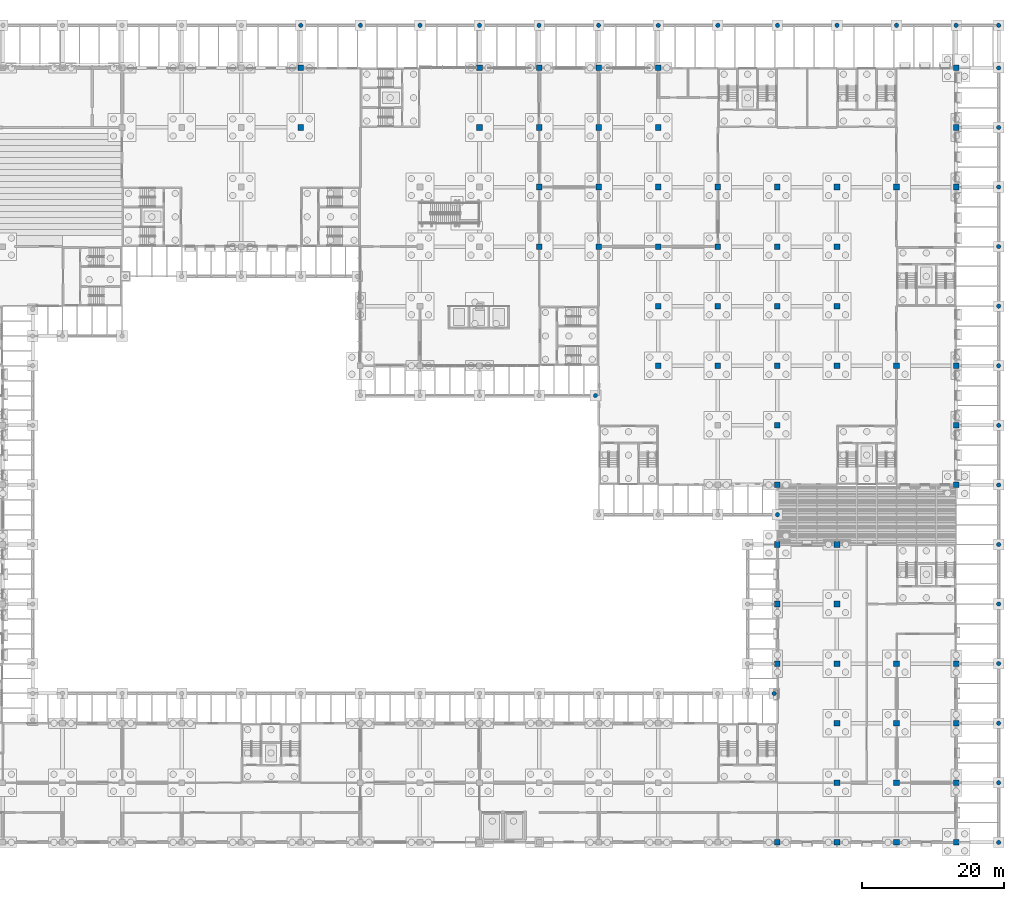
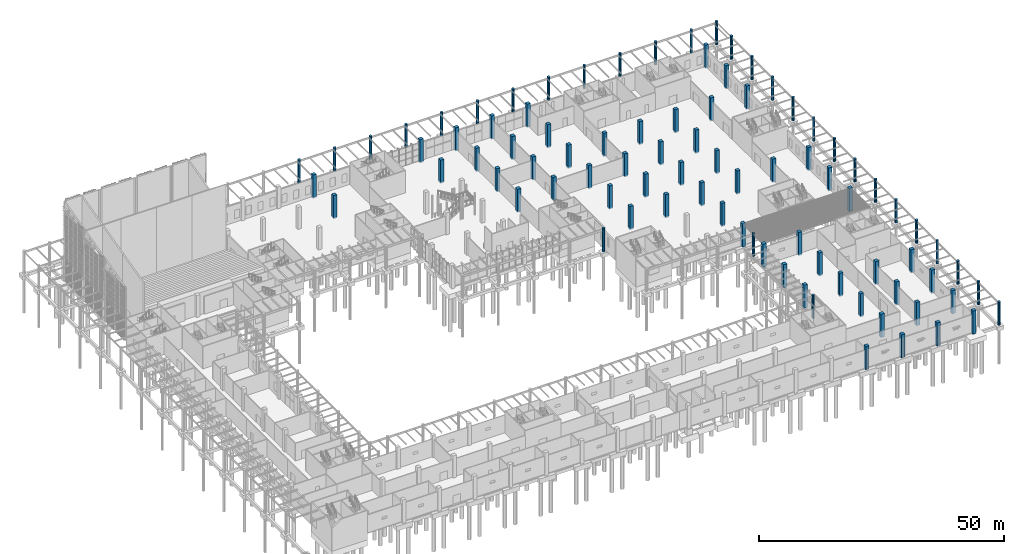
# One storey, part 8 of 82: 88 columns.
"""IFC4 building model written with IfcOpenShell, lengths in metres."""

from ifc_helpers import new_model, si_unit, direction, frame, origin, origin_2d, place, context, subcontext, project, spatial, rectangle, circle, extrude, material, material_profile, profile_set, type_object, element, save


model = new_model("IFC4")

# Units and contexts
model_context = context("Model", 3, precision=1e-05, world=origin(), true_north=direction((0.0, 1.0)))
body_context = subcontext(model_context, "Body", "Model", "MODEL_VIEW")
ifc_project = project(units=[si_unit("LENGTHUNIT", "METRE"), si_unit("AREAUNIT", "SQUARE_METRE"), si_unit("VOLUMEUNIT", "CUBIC_METRE"), si_unit("PLANEANGLEUNIT", "RADIAN"), si_unit("MASSUNIT", "GRAM", prefix="KILO")], contexts=[model_context])

# Site, building, storey
site_placement = place(None, origin())
site = spatial("IfcSite", under=ifc_project, at=site_placement, CompositionType="ELEMENT")
building_placement = place(site_placement, origin())
building = spatial("IfcBuilding", under=site, at=building_placement, Name="Almond Square Museum", CompositionType="ELEMENT")
storey_placement = place(building_placement, origin())
storey = spatial("IfcBuildingStorey", under=building, at=storey_placement, Name="L00", CompositionType="ELEMENT", Elevation=0.0)

# Columns
ifc_material_1 = material(Name="Concrete C40/50", Category="concrete")
ifc_material_profile_1 = material_profile(ifc_material_1, rectangle(XDim=0.800048828125, YDim=0.800048828125, at=origin_2d()))
ifc_profile_set_1 = profile_set([ifc_material_profile_1], Name="Concrete C40/50")
column_type_1 = type_object("IfcColumnType", Name="RC column 800 x 800 C40/50", PredefinedType="COLUMN", material=ifc_profile_set_1)
for number, where, z_axis, x_axis, name in (
    (1, (64.800048828125, 100.800048828125, -0.300048828125), (0.0, 0.0, 1.0), (1.0, 0.0, 0.0), "Column 9-M L00"),
    (2, (64.800048828125, 109.199951171875, -0.300048828125), (0.0, 0.0, 1.0), (1.0, 0.0, 0.0), "Column 9-N L00"),
    (3, (90.0, 100.800048828125, -0.300048828125), (0.0, 0.0, 1.0), (1.0, 0.0, 0.0), "Column 12-M L00"),
    (4, (90.0, 109.199951171875, -0.300048828125), (0.0, 0.0, 1.0), (1.0, 0.0, 0.0), "Column 12-N L00"),
    (5, (98.39990234375, 84.0, -0.300048828125), (0.0, 0.0, 1.0), (1.0, 0.0, 0.0), "Column 13-K L00"),
    (6, (98.39990234375, 92.39990234375, -0.300048828125), (0.0, 0.0, 1.0), (1.0, 0.0, 0.0), "Column 13-L L00"),
    (7, (98.39990234375, 100.800048828125, -0.300048828125), (0.0, 0.0, 1.0), (1.0, 0.0, 0.0), "Column 13-M L00"),
    (8, (98.39990234375, 109.199951171875, -0.300048828125), (0.0, 0.0, 1.0), (1.0, 0.0, 0.0), "Column 13-N L00"),
    (9, (106.800048828125, 84.0, -0.300048828125), (0.0, 0.0, 1.0), (1.0, 0.0, 0.0), "Column 14-K L00"),
    (10, (106.800048828125, 92.39990234375, -0.300048828125), (0.0, 0.0, 1.0), (1.0, 0.0, 0.0), "Column 14-L L00"),
    (11, (106.800048828125, 100.800048828125, -0.300048828125), (0.0, 0.0, 1.0), (1.0, 0.0, 0.0), "Column 14-M L00"),
    (12, (106.800048828125, 109.199951171875, -0.300048828125), (0.0, 0.0, 1.0), (1.0, 0.0, 0.0), "Column 14-N L00"),
    (13, (115.199951171875, 67.199951171875, -0.300048828125), (0.0, 0.0, 1.0), (1.0, 0.0, 0.0), "Column 15-I L00"),
    (14, (115.199951171875, 75.60009765625, -0.300048828125), (0.0, 0.0, 1.0), (1.0, 0.0, 0.0), "Column 15-J L00"),
    (15, (115.199951171875, 84.0, -0.300048828125), (0.0, 0.0, 1.0), (1.0, 0.0, 0.0), "Column 15-K L00"),
    (16, (115.199951171875, 92.39990234375, -0.300048828125), (0.0, 0.0, 1.0), (1.0, 0.0, 0.0), "Column 15-L L00"),
    (17, (115.199951171875, 100.800048828125, -0.300048828125), (0.0, 0.0, 1.0), (1.0, 0.0, 0.0), "Column 15-M L00"),
    (18, (115.199951171875, 109.199951171875, -0.300048828125), (0.0, 0.0, 1.0), (1.0, 0.0, 0.0), "Column 15-N L00"),
    (19, (123.60009765625, 67.199951171875, -0.300048828125), (0.0, 0.0, 1.0), (1.0, 0.0, 0.0), "Column 16-I L00"),
    (20, (123.60009765625, 75.60009765625, -0.300048828125), (0.0, 0.0, 1.0), (1.0, 0.0, 0.0), "Column 16-J L00"),
    (21, (123.60009765625, 84.0, -0.300048828125), (0.0, 0.0, 1.0), (1.0, 0.0, 0.0), "Column 16-K L00"),
    (22, (123.60009765625, 92.39990234375, -0.300048828125), (0.0, 0.0, 1.0), (1.0, 0.0, 0.0), "Column 16-L L00"),
    (23, (132.0, 0.0, -0.300048828125), (0.0, 0.0, 1.0), (1.0, 0.0, 0.0), "Column 17-A L00"),
    (24, (132.0, 25.199951171875, -0.300048828125), (0.0, 0.0, 1.0), (1.0, 0.0, 0.0), "Column 17-D L00"),
    (25, (132.0, 33.60009765625, -0.300048828125), (0.0, 0.0, 1.0), (1.0, 0.0, 0.0), "Column 17-E L00"),
    (26, (132.0, 42.0, -0.300048828125), (0.0, 0.0, 1.0), (1.0, 0.0, 0.0), "Column 17-F L00"),
    (27, (132.0, 50.39990234375, -0.300048828125), (0.0, 0.0, 1.0), (1.0, 0.0, 0.0), "Column 17-G L00"),
    (28, (132.0, 58.800048828125, -0.300048828125), (0.0, 0.0, 1.0), (1.0, 0.0, 0.0), "Column 17-H L00"),
    (29, (132.0, 67.199951171875, -0.300048828125), (0.0, 0.0, 1.0), (1.0, 0.0, 0.0), "Column 17-I L00"),
    (30, (132.0, 75.60009765625, -0.300048828125), (0.0, 0.0, 1.0), (1.0, 0.0, 0.0), "Column 17-J L00"),
    (31, (132.0, 84.0, -0.300048828125), (0.0, 0.0, 1.0), (1.0, 0.0, 0.0), "Column 17-K L00"),
    (32, (132.0, 92.39990234375, -0.300048828125), (0.0, 0.0, 1.0), (1.0, 0.0, 0.0), "Column 17-L L00"),
    (33, (140.39990234375, 0.0, -0.300048828125), (0.0, 0.0, 1.0), (1.0, 0.0, 0.0), "Column 18-A L00"),
    (34, (140.39990234375, 8.39990234375, -0.300048828125), (0.0, 0.0, 1.0), (1.0, 0.0, 0.0), "Column 18-B L00"),
    (35, (140.39990234375, 16.800048828125, -0.300048828125), (0.0, 0.0, 1.0), (1.0, 0.0, 0.0), "Column 18-C L00"),
    (36, (140.39990234375, 25.199951171875, -0.300048828125), (0.0, 0.0, 1.0), (1.0, 0.0, 0.0), "Column 18-D L00"),
    (37, (140.39990234375, 33.60009765625, -0.300048828125), (0.0, 0.0, 1.0), (1.0, 0.0, 0.0), "Column 18-E L00"),
    (38, (140.39990234375, 42.0, -0.300048828125), (0.0, 0.0, 1.0), (1.0, 0.0, 0.0), "Column 18-F L00"),
    (39, (140.39990234375, 67.199951171875, -0.300048828125), (0.0, 0.0, 1.0), (1.0, 0.0, 0.0), "Column 18-I L00"),
    (40, (140.39990234375, 75.60009765625, -0.300048828125), (0.0, 0.0, 1.0), (1.0, 0.0, 0.0), "Column 18-J L00"),
    (41, (140.39990234375, 84.0, -0.300048828125), (0.0, 0.0, 1.0), (1.0, 0.0, 0.0), "Column 18-K L00"),
    (42, (140.39990234375, 92.39990234375, -0.300048828125), (0.0, 0.0, 1.0), (1.0, 0.0, 0.0), "Column 18-L L00"),
    (43, (148.800048828125, 0.0, -0.300048828125), (0.0, 0.0, 1.0), (1.0, 0.0, 0.0), "Column 19-A L00"),
    (44, (148.800048828125, 8.39990234375, -0.300048828125), (0.0, 0.0, 1.0), (1.0, 0.0, 0.0), "Column 19-B L00"),
    (45, (148.800048828125, 16.800048828125, -0.300048828125), (0.0, 0.0, 1.0), (1.0, 0.0, 0.0), "Column 19-C L00"),
    (46, (148.800048828125, 25.199951171875, -0.300048828125), (0.0, 0.0, 1.0), (1.0, 0.0, 0.0), "Column 19-D L00"),
    (47, (148.800048828125, 67.199951171875, -0.300048828125), (0.0, 0.0, 1.0), (1.0, 0.0, 0.0), "Column 19-I L00"),
    (48, (148.800048828125, 92.39990234375, -0.300048828125), (0.0, 0.0, 1.0), (1.0, 0.0, 0.0), "Column 19-L L00"),
    (49, (157.199951171875, 0.0, -0.300048828125), (0.0, 0.0, 1.0), (1.0, 0.0, 0.0), "Column 20-A L00"),
    (50, (157.199951171875, 8.39990234375, -0.300048828125), (0.0, 0.0, 1.0), (1.0, 0.0, 0.0), "Column 20-B L00"),
    (51, (157.199951171875, 16.800048828125, -0.300048828125), (0.0, 0.0, 1.0), (1.0, 0.0, 0.0), "Column 20-C L00"),
    (52, (157.199951171875, 25.199951171875, -0.300048828125), (0.0, 0.0, 1.0), (1.0, 0.0, 0.0), "Column 20-D L00"),
    (53, (157.199951171875, 50.39990234375, -0.300048828125), (0.0, 0.0, 1.0), (1.0, 0.0, 0.0), "Column 20-G L00"),
    (54, (157.199951171875, 58.800048828125, -0.300048828125), (0.0, 0.0, 1.0), (1.0, 0.0, 0.0), "Column 20-H L00"),
    (55, (157.199951171875, 67.199951171875, -0.300048828125), (0.0, 0.0, 1.0), (1.0, 0.0, 0.0), "Column 20-I L00"),
    (56, (157.199951171875, 92.39990234375, -0.300048828125), (0.0, 0.0, 1.0), (1.0, 0.0, 0.0), "Column 20-L L00"),
    (57, (157.199951171875, 100.800048828125, -0.300048828125), (0.0, 0.0, 1.0), (1.0, 0.0, 0.0), "Column 20-M L00"),
    (58, (157.199951171875, 109.199951171875, -0.300048828125), (0.0, 0.0, 1.0), (1.0, 0.0, 0.0), "Column 20-N L00"),
):
    element("IfcColumn", number, at=place(storey_placement, frame(where, z_axis=z_axis, x_axis=x_axis)), inside=storey, type_object=column_type_1, Name=name, PredefinedType="COLUMN", context=body_context, shape_type="SweptSolid", body=[
        extrude(rectangle(XDim=0.800048828125, YDim=0.800048828125, at=origin_2d()), origin(), (0.0, 0.0, 1.0), 5.800048828125),
    ])
ifc_material_2 = material(Name="Concrete C40/50", Category="concrete")
ifc_material_profile_2 = material_profile(ifc_material_2, circle(Radius=0.300048828125, at=origin_2d()))
ifc_profile_set_2 = profile_set([ifc_material_profile_2], Name="Concrete C40/50")
column_type_2 = type_object("IfcColumnType", Name="RC round column D600 C40/50", PredefinedType="COLUMN", material=ifc_profile_set_2)
for number, where, z_axis, x_axis, name in (
    (59, (64.800048828125, 115.199951171875, -0.300048828125), (0.0, 0.0, 1.0), (1.0, 0.0, 0.0), "Arcade column 9-O"),
    (60, (73.199951171875, 115.199951171875, -0.300048828125), (0.0, 0.0, 1.0), (1.0, 0.0, 0.0), "Arcade column 10-O"),
    (61, (81.60009765625, 115.199951171875, -0.300048828125), (0.0, 0.0, 1.0), (1.0, 0.0, 0.0), "Arcade column 11-O"),
    (62, (90.0, 115.199951171875, -0.300048828125), (0.0, 0.0, 1.0), (1.0, 0.0, 0.0), "Arcade column 12-O"),
    (63, (98.39990234375, 115.199951171875, -0.300048828125), (0.0, 0.0, 1.0), (1.0, 0.0, 0.0), "Arcade column 13-O"),
    (64, (106.35009765625, 63.0, -0.300048828125), (0.0, 0.0, 1.0), (1.0, 0.0, 0.0), "Loggia column COL-L00-LG-V2-31"),
    (65, (106.800048828125, 115.199951171875, -0.300048828125), (0.0, 0.0, 1.0), (1.0, 0.0, 0.0), "Arcade column 14-O"),
    (66, (115.199951171875, 115.199951171875, -0.300048828125), (0.0, 0.0, 1.0), (1.0, 0.0, 0.0), "Arcade column 15-O"),
    (67, (123.60009765625, 115.199951171875, -0.300048828125), (0.0, 0.0, 1.0), (1.0, 0.0, 0.0), "Arcade column 16-O"),
    (68, (131.550048828125, 21.0, -0.300048828125), (0.0, 0.0, 1.0), (1.0, 0.0, 0.0), "Loggia column COL-L00-LG-V5S-42"),
    (69, (132.0, 46.199951171875, -0.300048828125), (0.0, 0.0, 1.0), (1.0, 0.0, 0.0), "Loggia column COL-L00-LG-V1-43"),
    (70, (132.0, 115.199951171875, -0.300048828125), (0.0, 0.0, 1.0), (1.0, 0.0, 0.0), "Arcade column 17-O"),
    (71, (140.39990234375, 115.199951171875, -0.300048828125), (0.0, 0.0, 1.0), (1.0, 0.0, 0.0), "Arcade column 18-O"),
    (72, (148.800048828125, 115.199951171875, -0.300048828125), (0.0, 0.0, 1.0), (1.0, 0.0, 0.0), "Arcade column 19-O"),
    (73, (157.199951171875, 115.199951171875, -0.300048828125), (0.0, 0.0, 1.0), (1.0, 0.0, 0.0), "Arcade column 20-O"),
    (74, (163.199951171875, 0.0, -0.300048828125), (0.0, 0.0, 1.0), (1.0, 0.0, 0.0), "Arcade column 21-A"),
    (75, (163.199951171875, 8.39990234375, -0.300048828125), (0.0, 0.0, 1.0), (1.0, 0.0, 0.0), "Arcade column 21-B"),
    (76, (163.199951171875, 16.800048828125, -0.300048828125), (0.0, 0.0, 1.0), (1.0, 0.0, 0.0), "Arcade column 21-C"),
    (77, (163.199951171875, 25.199951171875, -0.300048828125), (0.0, 0.0, 1.0), (1.0, 0.0, 0.0), "Arcade column 21-D"),
    (78, (163.199951171875, 33.60009765625, -0.300048828125), (0.0, 0.0, 1.0), (1.0, 0.0, 0.0), "Arcade column 21-E"),
    (79, (163.199951171875, 42.0, -0.300048828125), (0.0, 0.0, 1.0), (1.0, 0.0, 0.0), "Arcade column 21-F"),
    (80, (163.199951171875, 50.39990234375, -0.300048828125), (0.0, 0.0, 1.0), (1.0, 0.0, 0.0), "Arcade column 21-G"),
    (81, (163.199951171875, 58.800048828125, -0.300048828125), (0.0, 0.0, 1.0), (1.0, 0.0, 0.0), "Arcade column 21-H"),
    (82, (163.199951171875, 67.199951171875, -0.300048828125), (0.0, 0.0, 1.0), (1.0, 0.0, 0.0), "Arcade column 21-I"),
    (83, (163.199951171875, 75.60009765625, -0.300048828125), (0.0, 0.0, 1.0), (1.0, 0.0, 0.0), "Arcade column 21-J"),
    (84, (163.199951171875, 84.0, -0.300048828125), (0.0, 0.0, 1.0), (1.0, 0.0, 0.0), "Arcade column 21-K"),
    (85, (163.199951171875, 92.39990234375, -0.300048828125), (0.0, 0.0, 1.0), (1.0, 0.0, 0.0), "Arcade column 21-L"),
    (86, (163.199951171875, 100.800048828125, -0.300048828125), (0.0, 0.0, 1.0), (1.0, 0.0, 0.0), "Arcade column 21-M"),
    (87, (163.199951171875, 109.199951171875, -0.300048828125), (0.0, 0.0, 1.0), (1.0, 0.0, 0.0), "Arcade column 21-N"),
    (88, (163.199951171875, 115.199951171875, -0.300048828125), (0.0, 0.0, 1.0), (1.0, 0.0, 0.0), "Arcade column 21-O"),
):
    element("IfcColumn", number, at=place(storey_placement, frame(where, z_axis=z_axis, x_axis=x_axis)), inside=storey, type_object=column_type_2, Name=name, PredefinedType="COLUMN", context=body_context, shape_type="SweptSolid", body=[
        extrude(circle(Radius=0.300048828125, at=origin_2d()), origin(), (0.0, 0.0, 1.0), 5.800048828125),
    ])

save(model, "model.ifc")
